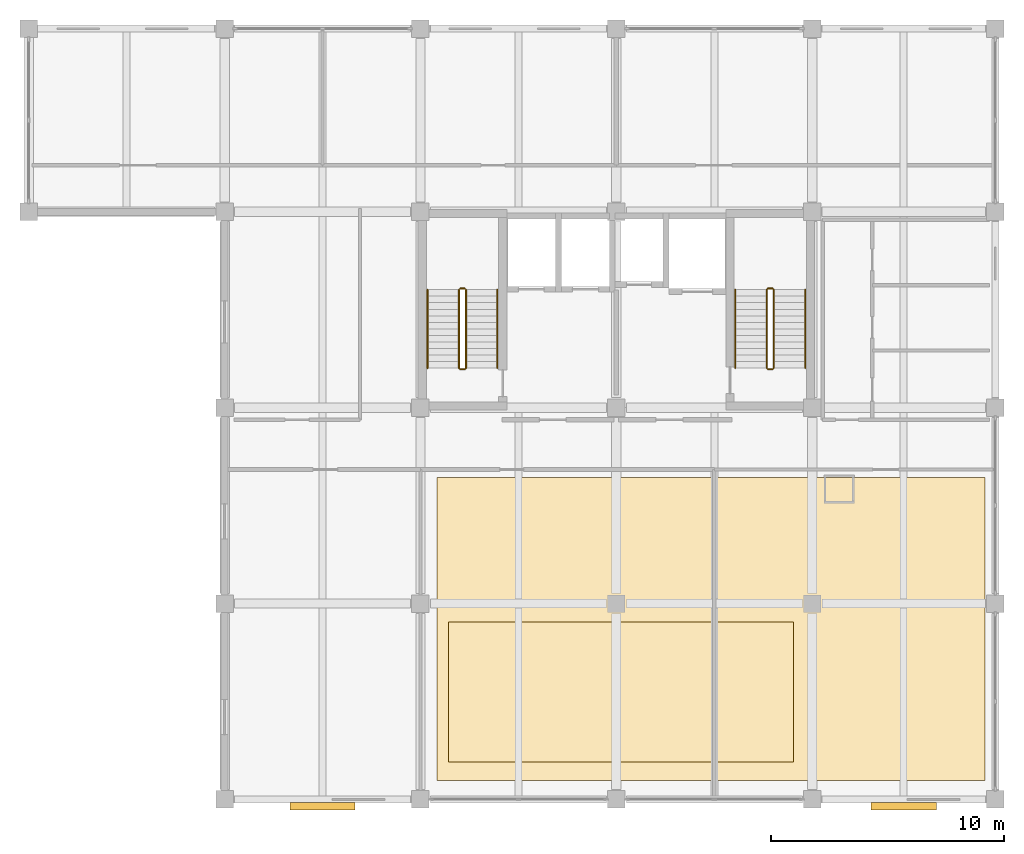
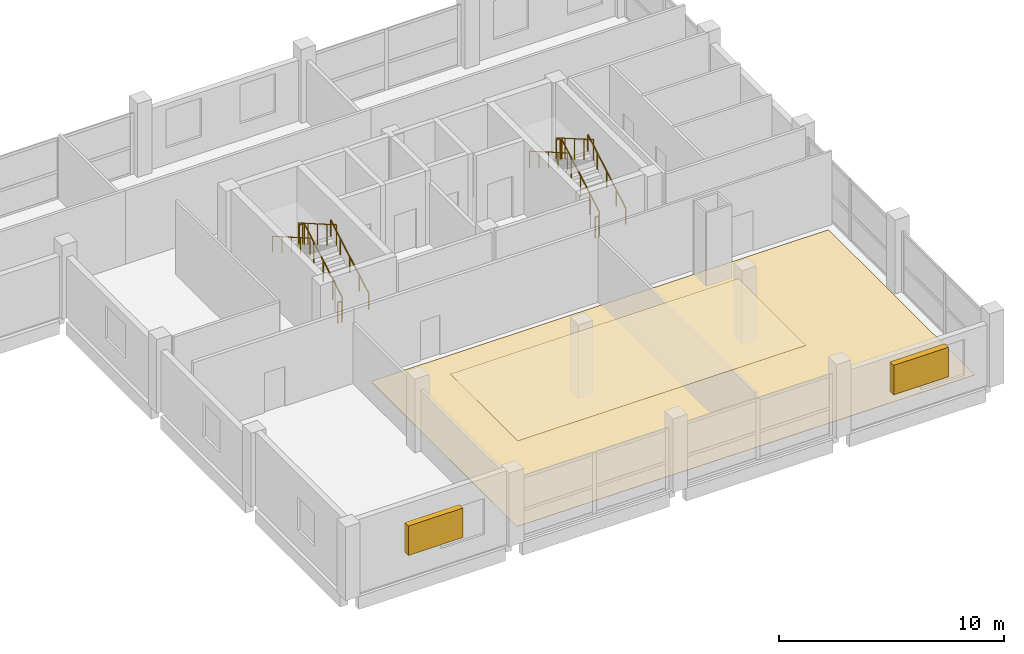
# One storey, part 9 of 9: 12 railings, 2 coverings, 2 shading devices.
"""IFC4 building model written with IfcOpenShell, lengths in metres."""

from ifc_helpers import new_model, si_unit, direction, frame, origin, origin_2d, place, context, subcontext, project, spatial, polyline, rectangle, circle, outline, extrude, material, layer, layer_set, type_object, element, save


model = new_model("IFC4")

# Units and contexts
model_context = context("Model", 3, precision=1e-05, world=origin(), true_north=direction((0.0, 1.0)))
body_context = subcontext(model_context, "Body", "Model", "MODEL_VIEW")
ifc_project = project(units=[si_unit("LENGTHUNIT", "METRE"), si_unit("AREAUNIT", "SQUARE_METRE"), si_unit("VOLUMEUNIT", "CUBIC_METRE"), si_unit("PLANEANGLEUNIT", "RADIAN"), si_unit("MASSUNIT", "GRAM", prefix="KILO")], contexts=[model_context])

# Site, building, storey
site_placement = place(None, origin())
site = spatial("IfcSite", under=ifc_project, at=site_placement, CompositionType="ELEMENT")
building_placement = place(site_placement, origin())
building = spatial("IfcBuilding", under=site, at=building_placement, Name="Brinegate Botanical Conservatory", CompositionType="ELEMENT")
storey_placement = place(building_placement, frame((0.0, 0.0, 40.199951171875)))
storey = spatial("IfcBuildingStorey", under=building, at=storey_placement, Name="L10", CompositionType="ELEMENT", Elevation=40.199951171875)

# Coverings
ifc_material_1 = material(Name="Moisture-resistant acoustic mineral-fibre ceiling board", Category="gypsum")
ifc_layer_1 = layer(ifc_material_1, 0.02001953125, Name="Moisture-resistant acoustic mineral-fibre ceiling board", Category="gypsum")
ifc_layer_set_1 = layer_set([ifc_layer_1], Name="Moisture-resistant acoustic mineral-fibre ceiling board")
covering_type_1 = type_object("IfcCoveringType", Name="Cov_CLG-LAB", PredefinedType="CEILING", material=ifc_layer_set_1)
covering_1_placement = place(storey_placement, frame((0.0, 0.0, 3.97998046875)))
element("IfcCovering", 1, at=covering_1_placement, inside=storey, type_object=covering_type_1, Name="Laboratory acoustic mineral-fibre ceiling L10", PredefinedType="CEILING", context=body_context, shape_type="SweptSolid", body=[
    extrude(outline(polyline([(140.0, 80.0), (154.800048828125, 80.0), (154.800048828125, 86.0), (140.0, 86.0), (140.0, 80.0)])), origin(), (0.0, 0.0, 1.0), 0.02001953125),
])
ifc_material_2 = material(Name="Seamless chemical-resistant terrazzo and epoxy flooring", Category="concrete")
ifc_layer_2 = layer(ifc_material_2, 0.014892578125, Name="Seamless chemical-resistant terrazzo and epoxy flooring", Category="concrete")
ifc_layer_set_2 = layer_set([ifc_layer_2], Name="Seamless chemical-resistant terrazzo and epoxy flooring")
covering_type_2 = type_object("IfcCoveringType", Name="Cov_FLR-LAB", PredefinedType="FLOORING", material=ifc_layer_set_2)
covering_2_placement = place(storey_placement, origin())
element("IfcCovering", 2, at=covering_2_placement, inside=storey, type_object=covering_type_2, Name="Laboratory seamless terrazzo floor finish L10", PredefinedType="FLOORING", context=body_context, shape_type="SweptSolid", body=[
    extrude(outline(polyline([(139.5, 79.199951171875), (163.0, 79.199951171875), (163.0, 92.199951171875), (139.5, 92.199951171875), (139.5, 79.199951171875)])), origin(), (0.0, 0.0, 1.0), 0.01513671875),
])

# Railings
ifc_material_3 = material(Name="Structural steel Q355B / S355 painted tubular guardrail", Category="steel")
railing_type_1 = type_object("IfcRailingType", Name="Rail_ST-GRD", PredefinedType="GUARDRAIL", material=ifc_material_3)
railing_1_placement = place(storey_placement, frame((140.75, 96.89990234375, 0.16162109375)))
element("IfcRailing", 3, at=railing_1_placement, inside=storey, type_object=railing_type_1, Name="L10 ST1 stair guard 1", PredefinedType="GUARDRAIL", context=body_context, shape_type="SweptSolid", body=[
    extrude(circle(Radius=0.02392578125, at=origin_2d()), frame((0.0, 0.0, 1.1259765625), z_axis=(0.0, 0.866190824863, 0.499713372768), x_axis=(-1.0, 0.0, 0.0)), (0.0, 0.0, 1.0), 3.879150390625),
    extrude(circle(Radius=0.02099609375, at=origin_2d()), origin(), (0.0, 0.0, 1.0), 1.101806640625),
    extrude(circle(Radius=0.02099609375, at=origin_2d()), frame((0.0, 0.840087890625, 0.484619140625)), (0.0, 0.0, 1.0), 1.101806640625),
    extrude(circle(Radius=0.02099609375, at=origin_2d()), frame((0.0, 1.68017578125, 0.96923828125)), (0.0, 0.0, 1.0), 1.101806640625),
    extrude(circle(Radius=0.02099609375, at=origin_2d()), frame((0.0, 2.52001953125, 1.453857421875)), (0.0, 0.0, 1.0), 1.101806640625),
    extrude(circle(Radius=0.02099609375, at=origin_2d()), frame((0.0, 3.360107421875, 1.9384765625)), (0.0, 0.0, 1.0), 1.101806640625),
])
railing_2_placement = place(storey_placement, frame((140.699951171875, 100.31005859375, 2.10009765625)))
element("IfcRailing", 4, at=railing_2_placement, inside=storey, type_object=railing_type_1, Name="L10 ST1 stair guard 2", PredefinedType="GUARDRAIL", context=body_context, shape_type="SweptSolid", body=[
    extrude(circle(Radius=0.02392578125, at=origin_2d()), frame((0.0, 0.0, 1.1259765625), z_axis=(-1.0, 0.0, 0.0), x_axis=(0.0, -1.0, 0.0)), (0.0, 0.0, 1.0), 0.199951171875),
    extrude(circle(Radius=0.02099609375, at=origin_2d()), origin(), (0.0, 0.0, 1.0), 1.101806640625),
    extrude(circle(Radius=0.02099609375, at=origin_2d()), frame((-0.199951171875, 0.0, 0.0)), (0.0, 0.0, 1.0), 1.101806640625),
])
railing_3_placement = place(storey_placement, frame((140.449951171875, 100.260009765625, 2.261474609375)))
element("IfcRailing", 5, at=railing_3_placement, inside=storey, type_object=railing_type_1, Name="L10 ST1 stair guard 3", PredefinedType="GUARDRAIL", context=body_context, shape_type="SweptSolid", body=[
    extrude(circle(Radius=0.02392578125, at=origin_2d()), frame((0.0, 0.0, 1.1259765625), z_axis=(0.0, -0.866190824863, 0.499713372768), x_axis=(1.0, 0.0, 0.0)), (0.0, 0.0, 1.0), 3.879150390625),
    extrude(circle(Radius=0.02099609375, at=origin_2d()), origin(), (0.0, 0.0, 1.0), 1.101806640625),
    extrude(circle(Radius=0.02099609375, at=origin_2d()), frame((0.0, -0.840087890625, 0.484619140625)), (0.0, 0.0, 1.0), 1.101806640625),
    extrude(circle(Radius=0.02099609375, at=origin_2d()), frame((0.0, -1.68017578125, 0.96923828125)), (0.0, 0.0, 1.0), 1.101806640625),
    extrude(circle(Radius=0.02099609375, at=origin_2d()), frame((0.0, -2.52001953125, 1.453857421875)), (0.0, 0.0, 1.0), 1.101806640625),
    extrude(circle(Radius=0.02099609375, at=origin_2d()), frame((0.0, -3.360107421875, 1.9384765625)), (0.0, 0.0, 1.0), 1.101806640625),
])
railing_4_placement = place(storey_placement, frame((140.699951171875, 96.85009765625, 0.0)))
element("IfcRailing", 6, at=railing_4_placement, inside=storey, type_object=railing_type_1, Name="L10 ST1 stair guard 4", PredefinedType="GUARDRAIL", context=body_context, shape_type="SweptSolid", body=[
    extrude(circle(Radius=0.02392578125, at=origin_2d()), frame((0.0, 0.0, 1.1259765625), z_axis=(-1.0, 0.0, 0.0), x_axis=(0.0, -1.0, 0.0)), (0.0, 0.0, 1.0), 0.199951171875),
    extrude(circle(Radius=0.02099609375, at=origin_2d()), origin(), (0.0, 0.0, 1.0), 1.101806640625),
    extrude(circle(Radius=0.02099609375, at=origin_2d()), frame((-0.199951171875, 0.0, 0.0)), (0.0, 0.0, 1.0), 1.101806640625),
])
railing_5_placement = place(storey_placement, frame((153.949951171875, 96.89990234375, 0.16162109375)))
element("IfcRailing", 7, at=railing_5_placement, inside=storey, type_object=railing_type_1, Name="L10 ST2 stair guard 1", PredefinedType="GUARDRAIL", context=body_context, shape_type="SweptSolid", body=[
    extrude(circle(Radius=0.02392578125, at=origin_2d()), frame((0.0, 0.0, 1.1259765625), z_axis=(0.0, 0.866190824863, 0.499713372768), x_axis=(-1.0, 0.0, 0.0)), (0.0, 0.0, 1.0), 3.879150390625),
    extrude(circle(Radius=0.02099609375, at=origin_2d()), origin(), (0.0, 0.0, 1.0), 1.101806640625),
    extrude(circle(Radius=0.02099609375, at=origin_2d()), frame((0.0, 0.840087890625, 0.484619140625)), (0.0, 0.0, 1.0), 1.101806640625),
    extrude(circle(Radius=0.02099609375, at=origin_2d()), frame((0.0, 1.68017578125, 0.96923828125)), (0.0, 0.0, 1.0), 1.101806640625),
    extrude(circle(Radius=0.02099609375, at=origin_2d()), frame((0.0, 2.52001953125, 1.453857421875)), (0.0, 0.0, 1.0), 1.101806640625),
    extrude(circle(Radius=0.02099609375, at=origin_2d()), frame((0.0, 3.360107421875, 1.9384765625)), (0.0, 0.0, 1.0), 1.101806640625),
])
railing_6_placement = place(storey_placement, frame((153.89990234375, 100.31005859375, 2.10009765625)))
element("IfcRailing", 8, at=railing_6_placement, inside=storey, type_object=railing_type_1, Name="L10 ST2 stair guard 2", PredefinedType="GUARDRAIL", context=body_context, shape_type="SweptSolid", body=[
    extrude(circle(Radius=0.02392578125, at=origin_2d()), frame((0.0, 0.0, 1.1259765625), z_axis=(-1.0, 0.0, 0.0), x_axis=(0.0, -1.0, 0.0)), (0.0, 0.0, 1.0), 0.199951171875),
    extrude(circle(Radius=0.02099609375, at=origin_2d()), origin(), (0.0, 0.0, 1.0), 1.101806640625),
    extrude(circle(Radius=0.02099609375, at=origin_2d()), frame((-0.199951171875, 0.0, 0.0)), (0.0, 0.0, 1.0), 1.101806640625),
])
railing_7_placement = place(storey_placement, frame((153.64990234375, 100.260009765625, 2.261474609375)))
element("IfcRailing", 9, at=railing_7_placement, inside=storey, type_object=railing_type_1, Name="L10 ST2 stair guard 3", PredefinedType="GUARDRAIL", context=body_context, shape_type="SweptSolid", body=[
    extrude(circle(Radius=0.02392578125, at=origin_2d()), frame((0.0, 0.0, 1.1259765625), z_axis=(0.0, -0.866190824863, 0.499713372768), x_axis=(1.0, 0.0, 0.0)), (0.0, 0.0, 1.0), 3.879150390625),
    extrude(circle(Radius=0.02099609375, at=origin_2d()), origin(), (0.0, 0.0, 1.0), 1.101806640625),
    extrude(circle(Radius=0.02099609375, at=origin_2d()), frame((0.0, -0.840087890625, 0.484619140625)), (0.0, 0.0, 1.0), 1.101806640625),
    extrude(circle(Radius=0.02099609375, at=origin_2d()), frame((0.0, -1.68017578125, 0.96923828125)), (0.0, 0.0, 1.0), 1.101806640625),
    extrude(circle(Radius=0.02099609375, at=origin_2d()), frame((0.0, -2.52001953125, 1.453857421875)), (0.0, 0.0, 1.0), 1.101806640625),
    extrude(circle(Radius=0.02099609375, at=origin_2d()), frame((0.0, -3.360107421875, 1.9384765625)), (0.0, 0.0, 1.0), 1.101806640625),
])
railing_8_placement = place(storey_placement, frame((153.89990234375, 96.85009765625, 0.0)))
element("IfcRailing", 10, at=railing_8_placement, inside=storey, type_object=railing_type_1, Name="L10 ST2 stair guard 4", PredefinedType="GUARDRAIL", context=body_context, shape_type="SweptSolid", body=[
    extrude(circle(Radius=0.02392578125, at=origin_2d()), frame((0.0, 0.0, 1.1259765625), z_axis=(-1.0, 0.0, 0.0), x_axis=(0.0, -1.0, 0.0)), (0.0, 0.0, 1.0), 0.199951171875),
    extrude(circle(Radius=0.02099609375, at=origin_2d()), origin(), (0.0, 0.0, 1.0), 1.101806640625),
    extrude(circle(Radius=0.02099609375, at=origin_2d()), frame((-0.199951171875, 0.0, 0.0)), (0.0, 0.0, 1.0), 1.101806640625),
])
ifc_material_4 = material(Name="Brushed stainless steel S355 handrail", Category="steel")
railing_type_2 = type_object("IfcRailingType", Name="Rail_ST-HND", PredefinedType="HANDRAIL", material=ifc_material_4)
railing_9_placement = place(storey_placement, frame((142.10009765625, 96.89990234375, 0.16162109375)))
element("IfcRailing", 11, at=railing_9_placement, inside=storey, type_object=railing_type_2, Name="L10 ST1 stair handrail 1", PredefinedType="HANDRAIL", context=body_context, shape_type="SweptSolid", body=[
    extrude(circle(Radius=0.02392578125, at=origin_2d()), frame((0.0, 0.0, 0.8759765625), z_axis=(0.0, 0.866190824863, 0.499713372768), x_axis=(-1.0, 0.0, 0.0)), (0.0, 0.0, 1.0), 3.879150390625),
    extrude(circle(Radius=0.02099609375, at=origin_2d()), origin(), (0.0, 0.0, 1.0), 0.851806640625),
    extrude(circle(Radius=0.02099609375, at=origin_2d()), frame((0.0, 0.840087890625, 0.484619140625)), (0.0, 0.0, 1.0), 0.851806640625),
    extrude(circle(Radius=0.02099609375, at=origin_2d()), frame((0.0, 1.68017578125, 0.96923828125)), (0.0, 0.0, 1.0), 0.851806640625),
    extrude(circle(Radius=0.02099609375, at=origin_2d()), frame((0.0, 2.52001953125, 1.453857421875)), (0.0, 0.0, 1.0), 0.851806640625),
    extrude(circle(Radius=0.02099609375, at=origin_2d()), frame((0.0, 3.360107421875, 1.9384765625)), (0.0, 0.0, 1.0), 0.851806640625),
])
railing_10_placement = place(storey_placement, frame((139.10009765625, 100.260009765625, 2.261474609375)))
element("IfcRailing", 12, at=railing_10_placement, inside=storey, type_object=railing_type_2, Name="L10 ST1 stair handrail 2", PredefinedType="HANDRAIL", context=body_context, shape_type="SweptSolid", body=[
    extrude(circle(Radius=0.02392578125, at=origin_2d()), frame((0.0, 0.0, 0.8759765625), z_axis=(0.0, -0.866190824863, 0.499713372768), x_axis=(1.0, 0.0, 0.0)), (0.0, 0.0, 1.0), 3.879150390625),
    extrude(circle(Radius=0.02099609375, at=origin_2d()), origin(), (0.0, 0.0, 1.0), 0.851806640625),
    extrude(circle(Radius=0.02099609375, at=origin_2d()), frame((0.0, -0.840087890625, 0.484619140625)), (0.0, 0.0, 1.0), 0.851806640625),
    extrude(circle(Radius=0.02099609375, at=origin_2d()), frame((0.0, -1.68017578125, 0.96923828125)), (0.0, 0.0, 1.0), 0.851806640625),
    extrude(circle(Radius=0.02099609375, at=origin_2d()), frame((0.0, -2.52001953125, 1.453857421875)), (0.0, 0.0, 1.0), 0.851806640625),
    extrude(circle(Radius=0.02099609375, at=origin_2d()), frame((0.0, -3.360107421875, 1.9384765625)), (0.0, 0.0, 1.0), 0.851806640625),
])
railing_11_placement = place(storey_placement, frame((155.300048828125, 96.89990234375, 0.16162109375)))
element("IfcRailing", 13, at=railing_11_placement, inside=storey, type_object=railing_type_2, Name="L10 ST2 stair handrail 1", PredefinedType="HANDRAIL", context=body_context, shape_type="SweptSolid", body=[
    extrude(circle(Radius=0.02392578125, at=origin_2d()), frame((0.0, 0.0, 0.8759765625), z_axis=(0.0, 0.866190824863, 0.499713372768), x_axis=(-1.0, 0.0, 0.0)), (0.0, 0.0, 1.0), 3.879150390625),
    extrude(circle(Radius=0.02099609375, at=origin_2d()), origin(), (0.0, 0.0, 1.0), 0.851806640625),
    extrude(circle(Radius=0.02099609375, at=origin_2d()), frame((0.0, 0.840087890625, 0.484619140625)), (0.0, 0.0, 1.0), 0.851806640625),
    extrude(circle(Radius=0.02099609375, at=origin_2d()), frame((0.0, 1.68017578125, 0.96923828125)), (0.0, 0.0, 1.0), 0.851806640625),
    extrude(circle(Radius=0.02099609375, at=origin_2d()), frame((0.0, 2.52001953125, 1.453857421875)), (0.0, 0.0, 1.0), 0.851806640625),
    extrude(circle(Radius=0.02099609375, at=origin_2d()), frame((0.0, 3.360107421875, 1.9384765625)), (0.0, 0.0, 1.0), 0.851806640625),
])
railing_12_placement = place(storey_placement, frame((152.300048828125, 100.260009765625, 2.261474609375)))
element("IfcRailing", 14, at=railing_12_placement, inside=storey, type_object=railing_type_2, Name="L10 ST2 stair handrail 2", PredefinedType="HANDRAIL", context=body_context, shape_type="SweptSolid", body=[
    extrude(circle(Radius=0.02392578125, at=origin_2d()), frame((0.0, 0.0, 0.8759765625), z_axis=(0.0, -0.866190824863, 0.499713372768), x_axis=(1.0, 0.0, 0.0)), (0.0, 0.0, 1.0), 3.879150390625),
    extrude(circle(Radius=0.02099609375, at=origin_2d()), origin(), (0.0, 0.0, 1.0), 0.851806640625),
    extrude(circle(Radius=0.02099609375, at=origin_2d()), frame((0.0, -0.840087890625, 0.484619140625)), (0.0, 0.0, 1.0), 0.851806640625),
    extrude(circle(Radius=0.02099609375, at=origin_2d()), frame((0.0, -1.68017578125, 0.96923828125)), (0.0, 0.0, 1.0), 0.851806640625),
    extrude(circle(Radius=0.02099609375, at=origin_2d()), frame((0.0, -2.52001953125, 1.453857421875)), (0.0, 0.0, 1.0), 0.851806640625),
    extrude(circle(Radius=0.02099609375, at=origin_2d()), frame((0.0, -3.360107421875, 1.9384765625)), (0.0, 0.0, 1.0), 0.851806640625),
])

# Shading devices
ifc_material_5 = material(Name="Anodised aluminium AW-6063-T6 solar-storm fin bank", Category="aluminium")
shading_device_type = type_object("IfcShadingDeviceType", Name="Shade_SLV-02", PredefinedType="JALOUSIE", material=ifc_material_5)
for number, where, z_axis, x_axis, name in (
    (15, (134.60009765625, 78.110107421875, 1.39990234375), (0.0, 0.0, 1.0), (1.0, 0.0, 0.0), "Research lab south storm louvre L10.1"),
    (16, (159.52490234375, 78.110107421875, 1.39990234375), (0.0, 0.0, 1.0), (1.0, 0.0, 0.0), "Research lab south storm louvre L10.4"),
):
    element("IfcShadingDevice", number, at=place(storey_placement, frame(where, z_axis=z_axis, x_axis=x_axis)), inside=storey, type_object=shading_device_type, Name=name, PredefinedType="JALOUSIE", context=body_context, shape_type="SweptSolid", body=[
        extrude(rectangle(XDim=2.800048828125, YDim=0.320068359375, at=origin_2d()), origin(), (0.0, 0.0, 1.0), 1.60009765625),
    ])

save(model, "model.ifc")
